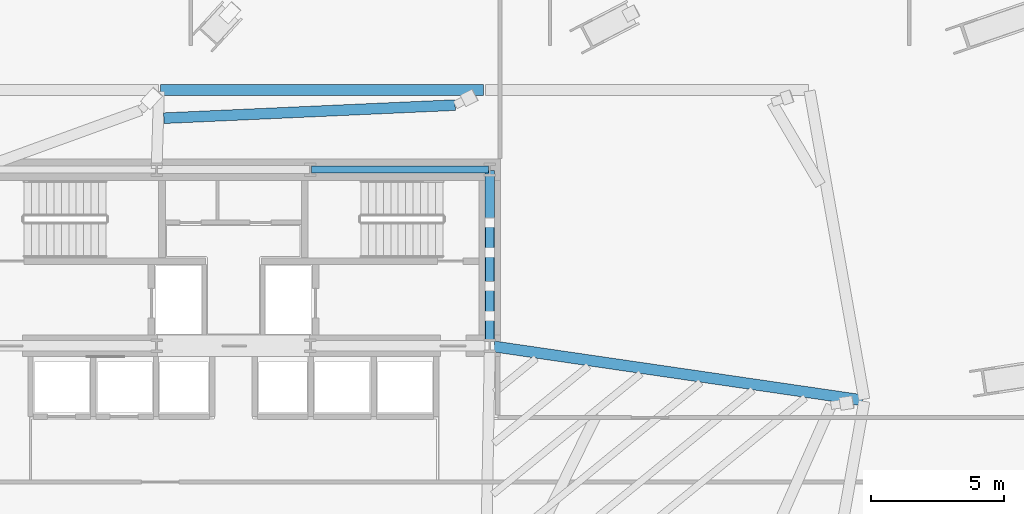
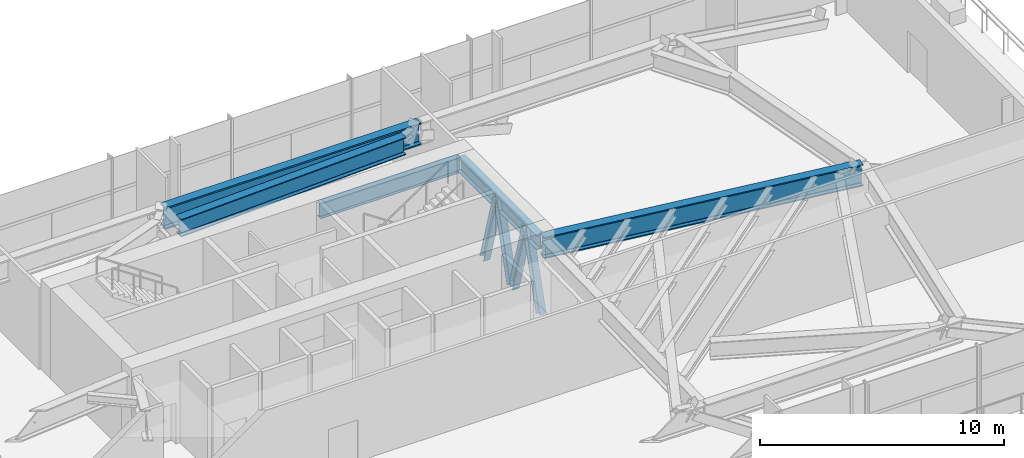
# One storey, part 16 of 29: 5 beams, 4 members.
"""IFC4 building model written with IfcOpenShell, lengths in metres."""

from ifc_helpers import new_model, si_unit, direction, frame, origin, origin_2d, place, context, subcontext, project, spatial, i_section, extrude, source, transform, mapped, material, material_profile, profile_set, type_object, type_shapes, element, save


model = new_model("IFC4")

# Units and contexts
model_context = context("Model", 3, precision=1e-05, world=origin(), true_north=direction((0.0, 1.0)))
body_context = subcontext(model_context, "Body", "Model", "MODEL_VIEW")
ifc_project = project(units=[si_unit("LENGTHUNIT", "METRE"), si_unit("AREAUNIT", "SQUARE_METRE"), si_unit("VOLUMEUNIT", "CUBIC_METRE"), si_unit("PLANEANGLEUNIT", "RADIAN"), si_unit("MASSUNIT", "GRAM", prefix="KILO")], contexts=[model_context])

# Site, building, storey
site_placement = place(None, origin())
site = spatial("IfcSite", under=ifc_project, at=site_placement, CompositionType="ELEMENT")
building_placement = place(site_placement, origin())
building = spatial("IfcBuilding", under=site, at=building_placement, Name="Astriad Promenade Condominiums", CompositionType="ELEMENT")
storey_placement = place(building_placement, frame((0.0, 0.0, 18.5)))
storey = spatial("IfcBuildingStorey", under=building, at=storey_placement, Name="L04", CompositionType="ELEMENT", Elevation=18.5)

# Beams
ifc_material = material(Name="Steel ASTM A992 Grade 50", Category="steel")
ifc_material_profile_1 = material_profile(ifc_material, i_section(OverallWidth=0.267822265625, OverallDepth=0.76953125, WebThickness=0.015625, FlangeThickness=0.025390625, FilletRadius=0.021484375, at=origin_2d()), Name="W30X132")
ifc_profile_set_1 = profile_set([ifc_material_profile_1], Name="Steel ASTM A992 Grade 50")
beam_type_1 = type_object("IfcBeamType", Name="STEEL FLOOR GIRDER W30X132", PredefinedType="BEAM", material=ifc_profile_set_1)
shared_shape_1 = source(origin(), body_context, "Body", "SweptSolid", [
    extrude(i_section(OverallWidth=0.267822265625, OverallDepth=0.76953125, WebThickness=0.015625, FlangeThickness=0.025390625, FilletRadius=0.021484375, at=origin_2d()), origin(), (0.0, 0.0, 1.0), 6.64013671875),
])
type_shapes(beam_type_1, [shared_shape_1])
beam_1_placement = place(storey_placement, frame((38.919921875, 24.0, 3.6953125), z_axis=(1.0, 0.0, 0.0), x_axis=(0.0, 1.0, 0.0)))
element("IfcBeam", 1, at=beam_1_placement, inside=storey, type_object=beam_type_1, Name="Core Ring Beam CG-N3-L04", PredefinedType="BEAM", context=body_context, shape_type="MappedRepresentation", body=[
    mapped(shared_shape_1, transform((0.0, 0.0, 0.0), scale=1.0)),
])
ifc_material_profile_2 = material_profile(ifc_material, i_section(OverallWidth=0.35791015625, OverallDepth=0.706298828125, WebThickness=0.018310546875, FlangeThickness=0.0302734375, FilletRadius=0.020263671875, at=origin_2d()), Name="W27X178")
ifc_profile_set_2 = profile_set([ifc_material_profile_2], Name="Steel ASTM A992 Grade 50")
beam_type_2 = type_object("IfcBeamType", Name="STEEL FLOOR GIRDER W27X178", PredefinedType="BEAM", material=ifc_profile_set_2)
shared_shape_2 = source(origin(), body_context, "Body", "SweptSolid", [
    extrude(i_section(OverallWidth=0.35791015625, OverallDepth=0.706298828125, WebThickness=0.018310546875, FlangeThickness=0.0302734375, FilletRadius=0.020263671875, at=origin_2d()), origin(), (0.0, 0.0, 1.0), 6.52001953125),
])
type_shapes(beam_type_2, [shared_shape_2])
beam_2_placement = place(storey_placement, frame((45.60009765625, 17.43994140625, 3.726806640625), z_axis=(0.0, 1.0, 0.0), x_axis=(-1.0, 0.0, 0.0)))
element("IfcBeam", 2, at=beam_2_placement, inside=storey, type_object=beam_type_2, Name="Core Ring Beam CG-E1-L04", PredefinedType="BEAM", context=body_context, shape_type="MappedRepresentation", body=[
    mapped(shared_shape_2, transform((0.0, 0.0, 0.0), scale=1.0)),
])
ifc_material_profile_3 = material_profile(ifc_material, i_section(OverallWidth=0.4169921875, OverallDepth=1.093505859375, WebThickness=0.0390625, FlangeThickness=0.070068359375, FilletRadius=0.025390625, at=origin_2d()), Name="W40X503")
ifc_profile_set_3 = profile_set([ifc_material_profile_3], Name="Steel ASTM A992 Grade 50")
beam_type_3 = type_object("IfcBeamType", Name="STEEL TRANSFER GIRDER W40X503", PredefinedType="BEAM", material=ifc_profile_set_3)
shared_shape_3 = source(origin(), body_context, "Body", "SweptSolid", [
    extrude(i_section(OverallWidth=0.4169921875, OverallDepth=1.093505859375, WebThickness=0.0390625, FlangeThickness=0.070068359375, FilletRadius=0.025390625, at=origin_2d()), origin(), (0.0, 0.0, 1.0), 12.090576171875),
])
type_shapes(beam_type_3, [shared_shape_3])
beam_3_placement = place(storey_placement, frame((45.359375, 26.989013671875, 3.533203125), z_axis=(-1.0, 0.0, 0.0), x_axis=(0.0, -1.0, 0.0)))
element("IfcBeam", 3, at=beam_3_placement, inside=storey, type_object=beam_type_3, Name="Perimeter Spandrel Beam SP-N3-L04", PredefinedType="BEAM", context=body_context, shape_type="MappedRepresentation", body=[
    mapped(shared_shape_3, transform((0.0, 0.0, 0.0), scale=1.0)),
])
ifc_material_profile_4 = material_profile(ifc_material, i_section(OverallWidth=0.409423828125, OverallDepth=1.06591796875, WebThickness=0.031005859375, FlangeThickness=0.055908203125, FilletRadius=0.025390625, at=origin_2d()), Name="W40X397")
ifc_profile_set_4 = profile_set([ifc_material_profile_4], Name="Steel ASTM A992 Grade 50")
beam_type_4 = type_object("IfcBeamType", Name="STEEL TRANSFER GIRDER W40X397", PredefinedType="BEAM", material=ifc_profile_set_4)
shared_shape_4 = source(origin(), body_context, "Body", "SweptSolid", [
    extrude(i_section(OverallWidth=0.409423828125, OverallDepth=1.06591796875, WebThickness=0.031005859375, FlangeThickness=0.055908203125, FilletRadius=0.025390625, at=origin_2d()), origin(), (0.0, 0.0, 1.0), 14.072509765625),
])
type_shapes(beam_type_4, [shared_shape_4])
beam_4_placement = place(storey_placement, frame((59.564697265625, 15.362548828125, 3.547119140625), z_axis=(-0.989522811171, 0.144376612279, 0.0), x_axis=(-0.144376612279, -0.989522811171, 0.0)))
element("IfcBeam", 4, at=beam_4_placement, inside=storey, type_object=beam_type_4, Name="Primary Floor Girder PG-EM-L04", PredefinedType="BEAM", context=body_context, shape_type="MappedRepresentation", body=[
    mapped(shared_shape_4, transform((0.0, 0.0, 0.0), scale=1.0)),
])
ifc_material_profile_5 = material_profile(ifc_material, i_section(OverallWidth=0.4013671875, OverallDepth=0.877197265625, WebThickness=0.022216796875, FlangeThickness=0.039794921875, FilletRadius=0.02294921875, at=origin_2d()), Name="W33X263")
ifc_profile_set_5 = profile_set([ifc_material_profile_5], Name="Steel ASTM A992 Grade 50")
beam_type_5 = type_object("IfcBeamType", Name="STEEL TRANSFER CARRIER GIRDER W33X263", PredefinedType="BEAM", material=ifc_profile_set_5)
shared_shape_5 = source(origin(), body_context, "Body", "SweptSolid", [
    extrude(i_section(OverallWidth=0.4013671875, OverallDepth=0.877197265625, WebThickness=0.022216796875, FlangeThickness=0.039794921875, FilletRadius=0.02294921875, at=origin_2d()), origin(), (0.0, 0.0, 1.0), 10.92333984375),
])
type_shapes(beam_type_5, [shared_shape_5])
beam_5_placement = place(storey_placement, frame((33.390625, 25.92724609375, 3.641357421875), z_axis=(0.998993411694, 0.044857144266, 0.0), x_axis=(-0.044857144266, 0.998993411694, 0.0)))
element("IfcBeam", 5, at=beam_5_placement, inside=storey, type_object=beam_type_5, Name="Transfer Splice Carrier TRM-SP-PC09-L04", PredefinedType="BEAM", context=body_context, shape_type="MappedRepresentation", body=[
    mapped(shared_shape_5, transform((0.0, 0.0, 0.0), scale=1.0)),
])

# Members
ifc_material_profile_6 = material_profile(ifc_material, i_section(OverallWidth=0.31494140625, OverallDepth=0.340576171875, WebThickness=0.02001953125, FlangeThickness=0.03173828125, FilletRadius=0.01513671875, at=origin_2d()), Name="W12X136")
ifc_profile_set_6 = profile_set([ifc_material_profile_6], Name="Steel ASTM A992 Grade 50")
member_type = type_object("IfcMemberType", Name="STEEL TRANSFER WEB BRACE W12X136", PredefinedType="BRACE", material=ifc_profile_set_6)
shared_shape_6 = source(origin(), body_context, "Body", "SweptSolid", [
    extrude(i_section(OverallWidth=0.31494140625, OverallDepth=0.340576171875, WebThickness=0.02001953125, FlangeThickness=0.03173828125, FilletRadius=0.01513671875, at=origin_2d()), origin(), (0.0, 0.0, 1.0), 3.873779296875),
])
type_shapes(member_type, [shared_shape_6])
for number, where, z_axis, x_axis, name in (
    (6, (45.60009765625, 17.406982421875, 0.1640625), (0.0, 0.286006160269, 0.958227778917), (-1.0, 0.0, 0.0), "Core Coupling Warren Brace L04-03A"),
    (7, (45.60009765625, 19.636962890625, 0.1640625), (0.0, -0.286006160269, 0.958227778917), (1.0, 0.0, 0.0), "Core Coupling Warren Brace L04-03B"),
    (8, (45.60009765625, 19.783203125, 0.1640625), (0.0, 0.28594828938, 0.958245049974), (-1.0, 0.0, 0.0), "Core Coupling Warren Brace L04-04A"),
    (9, (45.60009765625, 22.012939453125, 0.1640625), (0.0, -0.286006160269, 0.958227778917), (1.0, 0.0, 0.0), "Core Coupling Warren Brace L04-04B"),
):
    element("IfcMember", number, at=place(storey_placement, frame(where, z_axis=z_axis, x_axis=x_axis)), inside=storey, type_object=member_type, Name=name, PredefinedType="BRACE", context=body_context, shape_type="MappedRepresentation", body=[
        mapped(shared_shape_6, transform((0.0, 0.0, 0.0), scale=1.0)),
    ])

save(model, "model.ifc")
